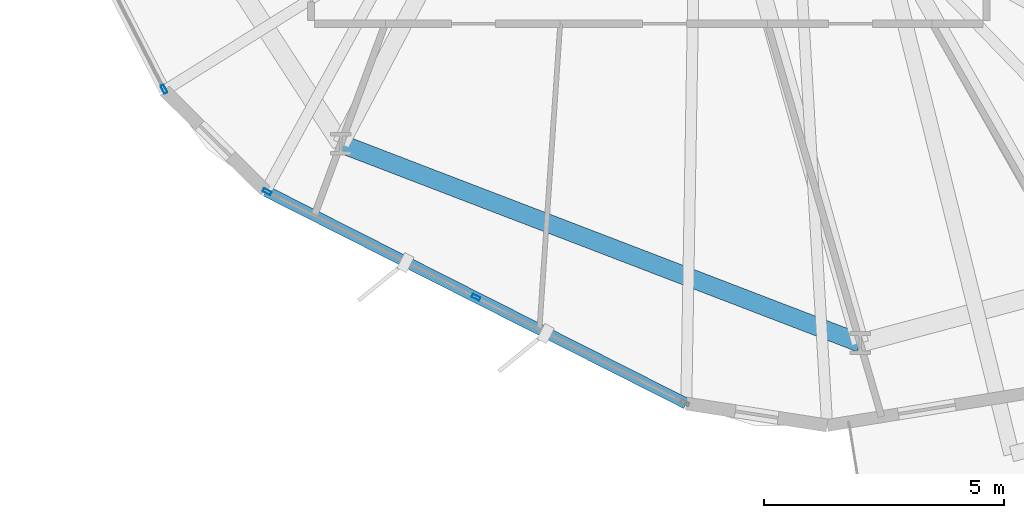
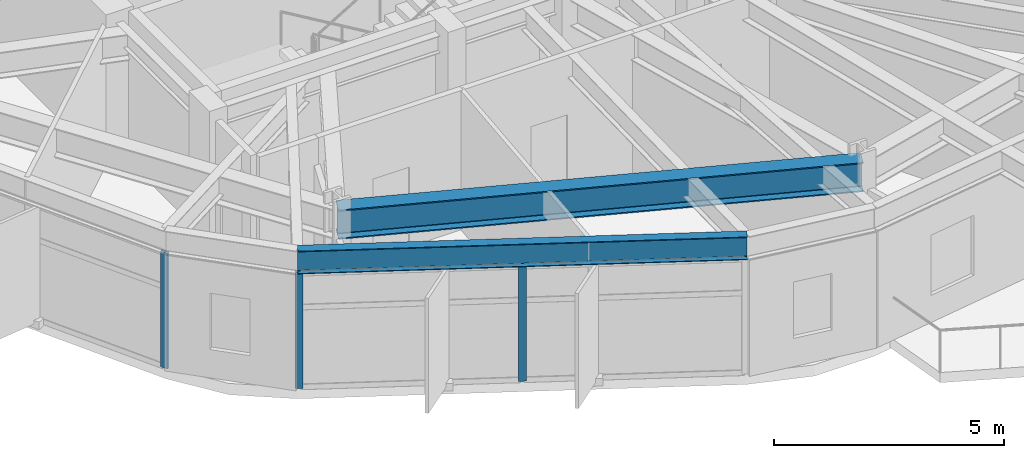
# One storey, part 2 of 23: 3 members, 2 beams, 2 elements without a shape of their own.
"""IFC4 building model written with IfcOpenShell, lengths in metres."""

from ifc_helpers import new_model, si_unit, direction, frame, origin, origin_2d, place, context, subcontext, project, spatial, hollow_rectangle, i_section, extrude, material, layer, layer_set, material_profile, profile_set, type_object, element, aggregate, save


model = new_model("IFC4")

# Units and contexts
model_context = context("Model", 3, precision=1e-05, world=origin(), true_north=direction((0.0, 1.0)))
body_context = subcontext(model_context, "Body", "Model", "MODEL_VIEW")
ifc_project = project(units=[si_unit("LENGTHUNIT", "METRE"), si_unit("AREAUNIT", "SQUARE_METRE"), si_unit("VOLUMEUNIT", "CUBIC_METRE"), si_unit("PLANEANGLEUNIT", "RADIAN"), si_unit("MASSUNIT", "GRAM", prefix="KILO")], contexts=[model_context])

# Site, building, storey
site_placement = place(None, origin())
site = spatial("IfcSite", under=ifc_project, at=site_placement, CompositionType="ELEMENT")
building_placement = place(site_placement, origin())
building = spatial("IfcBuilding", under=site, at=building_placement, Name="Soratama Intermodal Tower", CompositionType="ELEMENT")
storey_placement = place(building_placement, frame((0.0, 0.0, 62.60009765625)))
storey = spatial("IfcBuildingStorey", under=building, at=storey_placement, Name="L14", CompositionType="ELEMENT", Elevation=62.60009765625)

# Beams
ifc_material_1 = material(Name="Structural steel ASTM A992 Grade 50", Category="steel")
ifc_material_profile_1 = material_profile(ifc_material_1, i_section(OverallWidth=0.382080078125, OverallDepth=0.779052734375, WebThickness=0.01806640625, FlangeThickness=0.030029296875, FilletRadius=0.01806640625, at=origin_2d()), Name="W30X191")
ifc_profile_set_1 = profile_set([ifc_material_profile_1], Name="Structural steel ASTM A992 Grade 50")
beam_type_1 = type_object("IfcBeamType", Name="BM-RING-W30X191", PredefinedType="BEAM", material=ifc_profile_set_1)
beam_1_placement = place(storey_placement, frame((33.218994140625, 10.451904296875, 3.310302734375), z_axis=(0.933584159632, -0.358358224246, 0.0), x_axis=(0.358358224246, 0.933584159632, 0.0)))
element("IfcBeam", 1, at=beam_1_placement, inside=storey, type_object=beam_type_1, Name="BM-L14-RING-07", PredefinedType="BEAM", context=body_context, shape_type="SweptSolid", body=[
    extrude(i_section(OverallWidth=0.382080078125, OverallDepth=0.779052734375, WebThickness=0.01806640625, FlangeThickness=0.030029296875, FilletRadius=0.01806640625, at=origin_2d()), origin(), (0.0, 0.0, 1.0), 11.5693359375),
])
ifc_material_2 = material(Name="Structural steel ASTM A992 Grade 50", Category="steel")
ifc_material_profile_2 = material_profile(ifc_material_2, i_section(OverallWidth=0.22900390625, OverallDepth=0.612060546875, WebThickness=0.011962890625, FlangeThickness=0.01953125, FilletRadius=0.012939453125, at=origin_2d()), Name="W24X84")
ifc_profile_set_2 = profile_set([ifc_material_profile_2], Name="Structural steel ASTM A992 Grade 50")
beam_type_2 = type_object("IfcBeamType", Name="BM-SPN-W24X84", PredefinedType="SPANDREL", material=ifc_profile_set_2)
beam_2_placement = place(storey_placement, frame((31.656982421875, 9.468994140625, 3.393798828125), z_axis=(0.892425399308, -0.451194976336, 0.0), x_axis=(0.451194976336, 0.892425399308, 0.0)))
element("IfcBeam", 2, at=beam_2_placement, inside=storey, type_object=beam_type_2, Name="BS-L14-F07", PredefinedType="SPANDREL", context=body_context, shape_type="SweptSolid", body=[
    extrude(i_section(OverallWidth=0.22900390625, OverallDepth=0.612060546875, WebThickness=0.011962890625, FlangeThickness=0.01953125, FilletRadius=0.012939453125, at=origin_2d()), origin(), (0.0, 0.0, 1.0), 9.80029296875),
])

# Curtain wall, member
ifc_material_3 = material(Name="Double-glazed aluminium curtain wall", Category="aluminium")
ifc_layer = layer(ifc_material_3, 0.159912109375)
ifc_layer_set = layer_set([ifc_layer], Name="Double-glazed aluminium curtain wall")
curtain_wall_type = type_object("IfcCurtainWallType", Name="CW-SYS-2", PredefinedType="NOTDEFINED", material=ifc_layer_set)
curtain_wall_1_placement = place(storey_placement, origin())
curtain_wall_1 = element("IfcCurtainWall", 3, at=curtain_wall_1_placement, inside=storey, type_object=curtain_wall_type, Name="L14 Faceted Curtain Wall F06", PredefinedType="NOTDEFINED")
ifc_material_4 = material(Name="Anodised aluminium AA 6063-T6", Category="aluminium")
ifc_material_profile_3 = material_profile(ifc_material_4, hollow_rectangle(XDim=0.074951171875, YDim=0.179931640625, WallThickness=0.006103515625, InnerFilletRadius=0.006103515625, OuterFilletRadius=0.011962890625, at=origin_2d()), Name="CWM180X75X6")
ifc_profile_set_3 = profile_set([ifc_material_profile_3], Name="Anodised aluminium AA 6063-T6")
member_type = type_object("IfcMemberType", Name="MT-CWM-2", PredefinedType="MULLION", material=ifc_profile_set_3)
member_1_placement = place(storey_placement, frame((29.539306640625, 11.586669921875, 0.0), z_axis=(0.0, 0.0, 1.0), x_axis=(0.889575647258, 0.456787880537, 0.0)))
member_1 = element("IfcMember", 4, at=member_1_placement, type_object=member_type, Name="CW-2 mullion 3", PredefinedType="MULLION", context=body_context, shape_type="SweptSolid", body=[
    extrude(hollow_rectangle(XDim=0.074951171875, YDim=0.179931640625, WallThickness=0.006103515625, InnerFilletRadius=0.006103515625, OuterFilletRadius=0.011962890625, at=origin_2d()), origin(), (0.0, 0.0, 1.0), 3.078857421875),
])
aggregate(curtain_wall_1, [member_1])

# Curtain wall, members
curtain_wall_2_placement = place(storey_placement, origin())
curtain_wall_2 = element("IfcCurtainWall", 5, at=curtain_wall_2_placement, inside=storey, type_object=curtain_wall_type, Name="L14 Faceted Curtain Wall F07", PredefinedType="NOTDEFINED")
member_2_placement = place(storey_placement, frame((31.68408203125, 9.455322265625, 0.0), z_axis=(0.0, 0.0, 1.0), x_axis=(0.451184697135, 0.892430596221, 0.0)))
member_2 = element("IfcMember", 6, at=member_2_placement, type_object=member_type, Name="CW-2 mullion 1", PredefinedType="MULLION", context=body_context, shape_type="SweptSolid", body=[
    extrude(hollow_rectangle(XDim=0.074951171875, YDim=0.179931640625, WallThickness=0.006103515625, InnerFilletRadius=0.006103515625, OuterFilletRadius=0.011962890625, at=origin_2d()), origin(), (0.0, 0.0, 1.0), 3.078857421875),
])
member_3_placement = place(storey_placement, frame((36.030029296875, 7.258056640625, 0.0), z_axis=(0.0, 0.0, 1.0), x_axis=(0.451184697135, 0.892430596221, 0.0)))
member_3 = element("IfcMember", 7, at=member_3_placement, type_object=member_type, Name="CW-2 mullion 2", PredefinedType="MULLION", context=body_context, shape_type="SweptSolid", body=[
    extrude(hollow_rectangle(XDim=0.074951171875, YDim=0.179931640625, WallThickness=0.006103515625, InnerFilletRadius=0.006103515625, OuterFilletRadius=0.011962890625, at=origin_2d()), origin(), (0.0, 0.0, 1.0), 3.078857421875),
])
aggregate(curtain_wall_2, [member_2, member_3])

save(model, "model.ifc")
